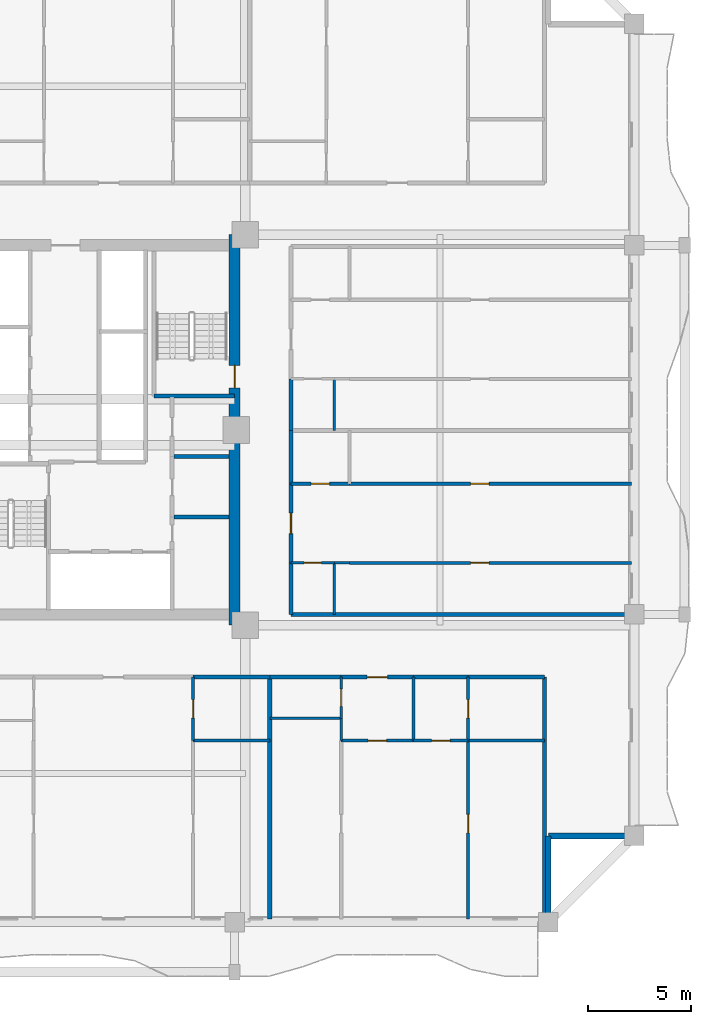
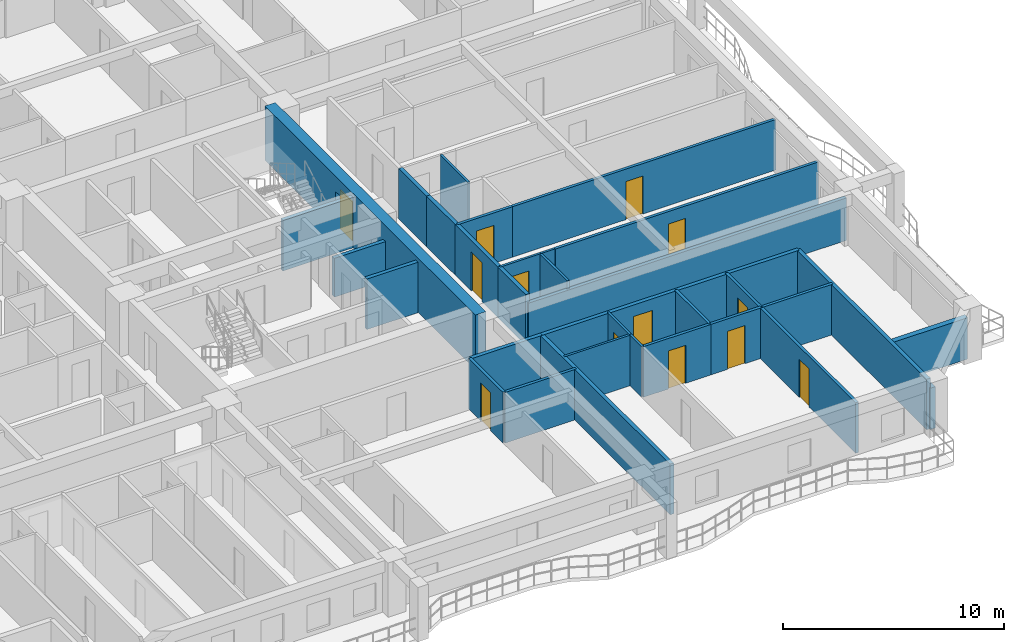
# One storey, part 5 of 15: 36 walls, 13 doors, 13 openings.
"""IFC4 building model written with IfcOpenShell, lengths in metres."""

from ifc_helpers import new_model, si_unit, direction, frame, frame_2d, origin, place, context, subcontext, project, spatial, rectangle, extrude, source, transform, mapped, material, layer, layer_set, type_object, element, fill, save


model = new_model("IFC4")

# Units and contexts
model_context = context("Model", 3, precision=1e-05, world=origin(), true_north=direction((0.0, 1.0)))
body_context = subcontext(model_context, "Body", "Model", "MODEL_VIEW")
ifc_project = project(units=[si_unit("LENGTHUNIT", "METRE"), si_unit("AREAUNIT", "SQUARE_METRE"), si_unit("VOLUMEUNIT", "CUBIC_METRE"), si_unit("PLANEANGLEUNIT", "RADIAN"), si_unit("MASSUNIT", "GRAM", prefix="KILO")], contexts=[model_context])

# Site, building, storey
site_placement = place(None, origin())
site = spatial("IfcSite", under=ifc_project, at=site_placement, CompositionType="ELEMENT")
building_placement = place(site_placement, origin())
building = spatial("IfcBuilding", under=site, at=building_placement, Name="Saelheon Loggia Tower", CompositionType="ELEMENT")
storey_placement = place(building_placement, frame((0.0, 0.0, 77.85009765625)))
storey = spatial("IfcBuildingStorey", under=building, at=storey_placement, Name="L24", CompositionType="ELEMENT", Elevation=77.85009765625)

# Wall, opening, door
ifc_material_1 = material(Name="Concrete C50/60", Category="concrete")
ifc_layer_1 = layer(ifc_material_1, 0.550048828125)
ifc_layer_set_1 = layer_set([ifc_layer_1], Name="Concrete C50/60")
wall_type_1 = type_object("IfcWallType", Name="Wall_CoreShear_550", PredefinedType="SHEAR", material=ifc_layer_set_1)
wall_1_placement = place(storey_placement, frame((44.5, 17.47998046875, 0.0), z_axis=(0.0, 0.0, 1.0), x_axis=(0.0, 1.0, 0.0)))
wall_1 = element("IfcWall", 1, at=wall_1_placement, inside=storey, type_object=wall_type_1, Name="L24 Core Shear Wall East", PredefinedType="SHEAR", context=body_context, shape_type="SweptSolid", body=[
    extrude(rectangle(XDim=19.0400390625, YDim=0.550048828125, at=frame_2d((9.52001953125, 0.0))), origin(), (0.0, 0.0, 1.0), 3.0),
])
opening_1_placement = place(wall_1_placement, frame((12.670166015625, 0.0, 0.0), z_axis=(0.0, 0.0, 1.0), x_axis=(-1.0, 0.0, 0.0)))
opening_1 = element("IfcOpeningElement", 2, at=opening_1_placement, cuts=wall_1, Name="Opening D-FD2", PredefinedType="OPENING", context=body_context, shape_type="SweptSolid", body=[
    extrude(rectangle(XDim=1.10009765625, YDim=2.14990234375, at=frame_2d((0.550048828125, 1.074951171875))), frame((0.0, 0.287109375, 0.0), z_axis=(0.0, -1.0, 0.0), x_axis=(1.0, 0.0, 0.0)), (0.0, 0.0, 1.0), 0.573974609375),
])
ifc_material_2 = material(Name="Galvanised Steel Fire Door", Category="steel")
door_type_1 = type_object("IfcDoorType", Name="Door_Fire_FD60_1100", OperationType="NOTDEFINED", PredefinedType="DOOR", material=ifc_material_2)
shared_shape_1 = source(origin(), body_context, "Body", "SweptSolid", [
    extrude(rectangle(XDim=1.10009765625, YDim=2.14990234375, at=frame_2d((0.550048828125, 1.074951171875))), frame((0.0, 0.02490234375, 0.0), z_axis=(0.0, -1.0, 0.0), x_axis=(1.0, 0.0, 0.0)), (0.0, 0.0, 1.0), 0.050048828125),
])
door_1_placement = place(opening_1_placement, origin())
door_1 = element("IfcDoor", 3, at=door_1_placement, inside=storey, type_object=door_type_1, Name="L24 Stair ST2 Corridor Door", OperationType="SINGLE_SWING_RIGHT", OverallHeight=2.14990234375, OverallWidth=1.10009765625, PredefinedType="DOOR", context=body_context, shape_type="MappedRepresentation", body=[
    mapped(shared_shape_1, transform((0.0, 0.0, 0.0), scale=1.0)),
])
fill(opening_1, door_1)

# Walls
ifc_material_3 = material(Name="Architectural Precast Concrete C40/50", Category="concrete")
ifc_layer_2 = layer(ifc_material_3, 0.280029296875)
ifc_layer_set_2 = layer_set([ifc_layer_2], Name="Architectural Precast Concrete C40/50")
wall_type_2 = type_object("IfcWallType", Name="Wall_Ext_Loggia_280", PredefinedType="SOLIDWALL", material=ifc_layer_set_2)
for number, where, z_axis, x_axis, name in (
    (4, (59.800048828125, 3.080078125, 0.0), (0.0, 0.0, 1.0), (0.0, 1.0, 0.0), "L24 Corner Notch Precast Wall SE1"),
    (5, (59.800048828125, 7.199951171875, 0.0), (0.0, 0.0, 1.0), (1.0, 0.0, 0.0), "L24 Corner Notch Precast Wall SE2"),
):
    element("IfcWall", number, at=place(storey_placement, frame(where, z_axis=z_axis, x_axis=x_axis)), inside=storey, type_object=wall_type_2, Name=name, PredefinedType="SOLIDWALL", context=body_context, shape_type="SweptSolid", body=[
        extrude(rectangle(XDim=4.119873046875, YDim=0.280029296875, at=frame_2d((2.06005859375, 0.0))), origin(), (0.0, 0.0, 1.0), 2.27978515625),
    ])
ifc_material_4 = material(Name="Lightweight Autoclaved Aerated Concrete Block and Acoustic Gypsum", Category="concrete")
ifc_layer_3 = layer(ifc_material_4, 0.14990234375)
ifc_layer_set_3 = layer_set([ifc_layer_3], Name="Lightweight Autoclaved Aerated Concrete Block and Acoustic Gypsum")
wall_type_3 = type_object("IfcWallType", Name="Wall_Part_150", PredefinedType="PARTITIONING", material=ifc_layer_set_3)
wall_2_placement = place(storey_placement, frame((42.47998046875, 11.85009765625, 0.0), z_axis=(0.0, 0.0, 1.0), x_axis=(1.0, 0.0, 0.0)))
element("IfcWall", 6, at=wall_2_placement, inside=storey, type_object=wall_type_3, Name="L24 S Partition V29", PredefinedType="PARTITIONING", context=body_context, shape_type="SweptSolid", body=[
    extrude(rectangle(XDim=3.735595703125, YDim=0.14990234375, at=frame_2d((1.86767578125, 0.0))), origin(), (0.0, 0.0, 1.0), 2.789794921875),
])

# Wall, opening, door
wall_3_placement = place(storey_placement, frame((42.47998046875, 14.949951171875, 0.0), z_axis=(0.0, 0.0, 1.0), x_axis=(0.0, -1.0, 0.0)))
wall_3 = element("IfcWall", 7, at=wall_3_placement, inside=storey, type_object=wall_type_3, Name="L24 S Partition U33", PredefinedType="PARTITIONING", context=body_context, shape_type="SweptSolid", body=[
    extrude(rectangle(XDim=3.099853515625, YDim=0.14990234375, at=frame_2d((1.5498046875, 0.0))), origin(), (0.0, 0.0, 1.0), 2.789794921875),
])
opening_2_placement = place(wall_3_placement, frame((1.10009765625, 0.0, 0.0)))
opening_2 = element("IfcOpeningElement", 8, at=opening_2_placement, cuts=wall_3, Name="Opening D-IN2", PredefinedType="OPENING", context=body_context, shape_type="SweptSolid", body=[
    extrude(rectangle(XDim=0.89990234375, YDim=2.10009765625, at=frame_2d((0.449951171875, 1.050048828125))), frame((0.0, 0.0869140625, 0.0), z_axis=(0.0, -1.0, 0.0), x_axis=(1.0, 0.0, 0.0)), (0.0, 0.0, 1.0), 0.173828125),
])
ifc_material_5 = material(Name="Engineered Oak Flush Door", Category="timber")
door_type_2 = type_object("IfcDoorType", Name="Door_Int_900", OperationType="NOTDEFINED", PredefinedType="DOOR", material=ifc_material_5)
shared_shape_2 = source(origin(), body_context, "Body", "SweptSolid", [
    extrude(rectangle(XDim=0.89990234375, YDim=2.10009765625, at=frame_2d((0.449951171875, 1.050048828125))), frame((0.0, 0.02490234375, 0.0), z_axis=(0.0, -1.0, 0.0), x_axis=(1.0, 0.0, 0.0)), (0.0, 0.0, 1.0), 0.050048828125),
])
door_2_placement = place(opening_2_placement, origin())
door_2 = element("IfcDoor", 9, at=door_2_placement, inside=storey, type_object=door_type_2, Name="Unit U03 Private Study Door", OperationType="SINGLE_SWING_LEFT", OverallHeight=2.10009765625, OverallWidth=0.89990234375, PredefinedType="DOOR", context=body_context, shape_type="MappedRepresentation", body=[
    mapped(shared_shape_2, transform((0.0, 0.0, 0.0), scale=1.0)),
])
fill(opening_2, door_2)

# Wall
wall_4_placement = place(storey_placement, frame((53.234375, 14.949951171875, 0.0), z_axis=(0.0, 0.0, 1.0), x_axis=(0.0, -1.0, 0.0)))
element("IfcWall", 10, at=wall_4_placement, inside=storey, type_object=wall_type_3, Name="L24 S Partition U39", PredefinedType="PARTITIONING", context=body_context, shape_type="SweptSolid", body=[
    extrude(rectangle(XDim=3.099853515625, YDim=0.14990234375, at=frame_2d((1.5498046875, 0.0))), origin(), (0.0, 0.0, 1.0), 2.789794921875),
])

# Wall, opening, door
wall_5_placement = place(storey_placement, frame((49.70068359375, 11.85009765625, 0.0), z_axis=(0.0, 0.0, 1.0), x_axis=(1.0, 0.0, 0.0)))
wall_5 = element("IfcWall", 11, at=wall_5_placement, inside=storey, type_object=wall_type_3, Name="L24 S Partition V40", PredefinedType="PARTITIONING", context=body_context, shape_type="SweptSolid", body=[
    extrude(rectangle(XDim=3.53369140625, YDim=0.14990234375, at=frame_2d((1.766845703125, 0.0))), origin(), (0.0, 0.0, 1.0), 2.789794921875),
])
opening_3_placement = place(wall_5_placement, frame((1.31689453125, 0.0, 0.0)))
opening_3 = element("IfcOpeningElement", 12, at=opening_3_placement, cuts=wall_5, Name="Opening D-IN2", PredefinedType="OPENING", context=body_context, shape_type="SweptSolid", body=[
    extrude(rectangle(XDim=0.89990234375, YDim=2.10009765625, at=frame_2d((0.449951171875, 1.050048828125))), frame((0.0, 0.0869140625, 0.0), z_axis=(0.0, -1.0, 0.0), x_axis=(1.0, 0.0, 0.0)), (0.0, 0.0, 1.0), 0.173828125),
])
door_3_placement = place(opening_3_placement, origin())
door_3 = element("IfcDoor", 13, at=door_3_placement, inside=storey, type_object=door_type_2, Name="Unit U04 Living Door", OperationType="SINGLE_SWING_RIGHT", OverallHeight=2.10009765625, OverallWidth=0.89990234375, PredefinedType="DOOR", context=body_context, shape_type="MappedRepresentation", body=[
    mapped(shared_shape_2, transform((0.0, 0.0, 0.0), scale=1.0)),
])
fill(opening_3, door_3)

wall_6_placement = place(storey_placement, frame((53.234375, 11.85009765625, 0.0), z_axis=(0.0, 0.0, 1.0), x_axis=(1.0, 0.0, 0.0)))
wall_6 = element("IfcWall", 14, at=wall_6_placement, inside=storey, type_object=wall_type_3, Name="L24 S Partition V41", PredefinedType="PARTITIONING", context=body_context, shape_type="SweptSolid", body=[
    extrude(rectangle(XDim=2.650146484375, YDim=0.14990234375, at=frame_2d((1.3251953125, 0.0))), origin(), (0.0, 0.0, 1.0), 2.789794921875),
])
opening_4_placement = place(wall_6_placement, frame((0.875, 0.0, 0.0)))
opening_4 = element("IfcOpeningElement", 15, at=opening_4_placement, cuts=wall_6, Name="Opening D-IN2", PredefinedType="OPENING", context=body_context, shape_type="SweptSolid", body=[
    extrude(rectangle(XDim=0.89990234375, YDim=2.10009765625, at=frame_2d((0.449951171875, 1.050048828125))), frame((0.0, 0.0869140625, 0.0), z_axis=(0.0, -1.0, 0.0), x_axis=(1.0, 0.0, 0.0)), (0.0, 0.0, 1.0), 0.173828125),
])
door_4_placement = place(opening_4_placement, origin())
door_4 = element("IfcDoor", 16, at=door_4_placement, inside=storey, type_object=door_type_2, Name="Unit U04 Private Study Door", OperationType="SINGLE_SWING_LEFT", OverallHeight=2.10009765625, OverallWidth=0.89990234375, PredefinedType="DOOR", context=body_context, shape_type="MappedRepresentation", body=[
    mapped(shared_shape_2, transform((0.0, 0.0, 0.0), scale=1.0)),
])
fill(opening_4, door_4)

# Wall
wall_7_placement = place(storey_placement, frame((55.884521484375, 11.85009765625, 0.0), z_axis=(0.0, 0.0, 1.0), x_axis=(1.0, 0.0, 0.0)))
element("IfcWall", 17, at=wall_7_placement, inside=storey, type_object=wall_type_3, Name="L24 S Partition V44", PredefinedType="PARTITIONING", context=body_context, shape_type="SweptSolid", body=[
    extrude(rectangle(XDim=3.735595703125, YDim=0.14990234375, at=frame_2d((1.86767578125, 0.0))), origin(), (0.0, 0.0, 1.0), 2.789794921875),
])

# Wall, opening, door
wall_8_placement = place(storey_placement, frame((55.884521484375, 14.949951171875, 0.0), z_axis=(0.0, 0.0, 1.0), x_axis=(0.0, -1.0, 0.0)))
wall_8 = element("IfcWall", 18, at=wall_8_placement, inside=storey, type_object=wall_type_3, Name="L24 S Partition U48", PredefinedType="PARTITIONING", context=body_context, shape_type="SweptSolid", body=[
    extrude(rectangle(XDim=3.099853515625, YDim=0.14990234375, at=frame_2d((1.5498046875, 0.0))), origin(), (0.0, 0.0, 1.0), 2.789794921875),
])
opening_5_placement = place(wall_8_placement, frame((1.10009765625, 0.0, 0.0)))
opening_5 = element("IfcOpeningElement", 19, at=opening_5_placement, cuts=wall_8, Name="Opening D-IN2", PredefinedType="OPENING", context=body_context, shape_type="SweptSolid", body=[
    extrude(rectangle(XDim=0.89990234375, YDim=2.10009765625, at=frame_2d((0.449951171875, 1.050048828125))), frame((0.0, 0.0869140625, 0.0), z_axis=(0.0, -1.0, 0.0), x_axis=(1.0, 0.0, 0.0)), (0.0, 0.0, 1.0), 0.173828125),
])
door_5_placement = place(opening_5_placement, origin())
door_5 = element("IfcDoor", 20, at=door_5_placement, inside=storey, type_object=door_type_2, Name="Unit U04 Kitchen Door", OperationType="SINGLE_SWING_RIGHT", OverallHeight=2.10009765625, OverallWidth=0.89990234375, PredefinedType="DOOR", context=body_context, shape_type="MappedRepresentation", body=[
    mapped(shared_shape_2, transform((0.0, 0.0, 0.0), scale=1.0)),
])
fill(opening_5, door_5)

wall_9_placement = place(storey_placement, frame((55.884521484375, 11.85009765625, 0.0), z_axis=(0.0, 0.0, 1.0), x_axis=(0.0, -1.0, 0.0)))
wall_9 = element("IfcWall", 21, at=wall_9_placement, inside=storey, type_object=wall_type_3, Name="L24 S Partition U49", PredefinedType="PARTITIONING", context=body_context, shape_type="SweptSolid", body=[
    extrude(rectangle(XDim=8.7001953125, YDim=0.14990234375, at=frame_2d((4.35009765625, 0.0))), origin(), (0.0, 0.0, 1.0), 2.789794921875),
])
opening_6_placement = place(wall_9_placement, frame((3.594970703125, 0.0, 0.0)))
opening_6 = element("IfcOpeningElement", 22, at=opening_6_placement, cuts=wall_9, Name="Opening D-IN2", PredefinedType="OPENING", context=body_context, shape_type="SweptSolid", body=[
    extrude(rectangle(XDim=0.89990234375, YDim=2.10009765625, at=frame_2d((0.449951171875, 1.050048828125))), frame((0.0, 0.0869140625, 0.0), z_axis=(0.0, -1.0, 0.0), x_axis=(1.0, 0.0, 0.0)), (0.0, 0.0, 1.0), 0.173828125),
])
door_6_placement = place(opening_6_placement, origin())
door_6 = element("IfcDoor", 23, at=door_6_placement, inside=storey, type_object=door_type_2, Name="Unit U04 Bedroom 1 Door", OperationType="SINGLE_SWING_LEFT", OverallHeight=2.10009765625, OverallWidth=0.89990234375, PredefinedType="DOOR", context=body_context, shape_type="MappedRepresentation", body=[
    mapped(shared_shape_2, transform((0.0, 0.0, 0.0), scale=1.0)),
])
fill(opening_6, door_6)

wall_10_placement = place(storey_placement, frame((50.110107421875, 20.512939453125, 0.0), z_axis=(0.0, 0.0, 1.0), x_axis=(1.0, 0.0, 0.0)))
wall_10 = element("IfcWall", 24, at=wall_10_placement, inside=storey, type_object=wall_type_3, Name="L24 E Partition U10", PredefinedType="PARTITIONING", context=body_context, shape_type="SweptSolid", body=[
    extrude(rectangle(XDim=13.739990234375, YDim=0.14990234375, at=frame_2d((6.8701171875, 0.0))), origin(), (0.0, 0.0, 1.0), 2.789794921875),
])
opening_7_placement = place(wall_10_placement, frame((5.905029296875, 0.0, 0.0)))
opening_7 = element("IfcOpeningElement", 25, at=opening_7_placement, cuts=wall_10, Name="Opening D-IN2", PredefinedType="OPENING", context=body_context, shape_type="SweptSolid", body=[
    extrude(rectangle(XDim=0.89990234375, YDim=2.10009765625, at=frame_2d((0.449951171875, 1.050048828125))), frame((0.0, 0.0869140625, 0.0), z_axis=(0.0, -1.0, 0.0), x_axis=(1.0, 0.0, 0.0)), (0.0, 0.0, 1.0), 0.173828125),
])
door_7_placement = place(opening_7_placement, origin())
door_7 = element("IfcDoor", 26, at=door_7_placement, inside=storey, type_object=door_type_2, Name="Unit U10 Kitchen Door", OperationType="SINGLE_SWING_RIGHT", OverallHeight=2.10009765625, OverallWidth=0.89990234375, PredefinedType="DOOR", context=body_context, shape_type="MappedRepresentation", body=[
    mapped(shared_shape_2, transform((0.0, 0.0, 0.0), scale=1.0)),
])
fill(opening_7, door_7)

wall_11_placement = place(storey_placement, frame((47.25, 24.375, 0.0), z_axis=(0.0, 0.0, 1.0), x_axis=(1.0, 0.0, 0.0)))
wall_11 = element("IfcWall", 27, at=wall_11_placement, inside=storey, type_object=wall_type_3, Name="L24 E Partition U11", PredefinedType="PARTITIONING", context=body_context, shape_type="SweptSolid", body=[
    extrude(rectangle(XDim=2.860107421875, YDim=0.14990234375, at=frame_2d((1.43017578125, 0.0))), origin(), (0.0, 0.0, 1.0), 2.789794921875),
])
opening_8_placement = place(wall_11_placement, frame((0.97998046875, 0.0, 0.0)))
opening_8 = element("IfcOpeningElement", 28, at=opening_8_placement, cuts=wall_11, Name="Opening D-IN2", PredefinedType="OPENING", context=body_context, shape_type="SweptSolid", body=[
    extrude(rectangle(XDim=0.89990234375, YDim=2.10009765625, at=frame_2d((0.449951171875, 1.050048828125))), frame((0.0, 0.0869140625, 0.0), z_axis=(0.0, -1.0, 0.0), x_axis=(1.0, 0.0, 0.0)), (0.0, 0.0, 1.0), 0.173828125),
])
door_8_placement = place(opening_8_placement, origin())
door_8 = element("IfcDoor", 29, at=door_8_placement, inside=storey, type_object=door_type_2, Name="Unit U10 Dressing Closet Door", OperationType="SINGLE_SWING_LEFT", OverallHeight=2.10009765625, OverallWidth=0.89990234375, PredefinedType="DOOR", context=body_context, shape_type="MappedRepresentation", body=[
    mapped(shared_shape_2, transform((0.0, 0.0, 0.0), scale=1.0)),
])
fill(opening_8, door_8)

wall_12_placement = place(storey_placement, frame((50.110107421875, 24.375, 0.0), z_axis=(0.0, 0.0, 1.0), x_axis=(1.0, 0.0, 0.0)))
wall_12 = element("IfcWall", 30, at=wall_12_placement, inside=storey, type_object=wall_type_3, Name="L24 E Partition U12", PredefinedType="PARTITIONING", context=body_context, shape_type="SweptSolid", body=[
    extrude(rectangle(XDim=13.739990234375, YDim=0.14990234375, at=frame_2d((6.8701171875, 0.0))), origin(), (0.0, 0.0, 1.0), 2.789794921875),
])
opening_9_placement = place(wall_12_placement, frame((5.905029296875, 0.0, 0.0)))
opening_9 = element("IfcOpeningElement", 31, at=opening_9_placement, cuts=wall_12, Name="Opening D-IN2", PredefinedType="OPENING", context=body_context, shape_type="SweptSolid", body=[
    extrude(rectangle(XDim=0.89990234375, YDim=2.10009765625, at=frame_2d((0.449951171875, 1.050048828125))), frame((0.0, 0.0869140625, 0.0), z_axis=(0.0, -1.0, 0.0), x_axis=(1.0, 0.0, 0.0)), (0.0, 0.0, 1.0), 0.173828125),
])
door_9_placement = place(opening_9_placement, origin())
door_9 = element("IfcDoor", 32, at=door_9_placement, inside=storey, type_object=door_type_2, Name="Unit U10 Bedroom 1 Door", OperationType="SINGLE_SWING_RIGHT", OverallHeight=2.10009765625, OverallWidth=0.89990234375, PredefinedType="DOOR", context=body_context, shape_type="MappedRepresentation", body=[
    mapped(shared_shape_2, transform((0.0, 0.0, 0.0), scale=1.0)),
])
fill(opening_9, door_9)

# Walls
ifc_material_6 = material(Name="Double Acoustic Stud and Fireboard Partition", Category="gypsum")
ifc_layer_4 = layer(ifc_material_6, 0.199951171875)
ifc_layer_set_4 = layer_set([ifc_layer_4], Name="Double Acoustic Stud and Fireboard Partition")
wall_type_4 = type_object("IfcWallType", Name="Wall_Party_200", PredefinedType="PARTITIONING", material=ifc_layer_set_4)
wall_13_placement = place(storey_placement, frame((59.6201171875, 14.949951171875, 0.0), z_axis=(0.0, 0.0, 1.0), x_axis=(0.0, -1.0, 0.0)))
element("IfcWall", 33, at=wall_13_placement, inside=storey, type_object=wall_type_4, Name="L24 S Partition U02", PredefinedType="PARTITIONING", context=body_context, shape_type="SweptSolid", body=[
    extrude(rectangle(XDim=11.800048828125, YDim=0.199951171875, at=frame_2d((5.89990234375, 0.0))), origin(), (0.0, 0.0, 1.0), 2.789794921875),
])
wall_14_placement = place(storey_placement, frame((42.47998046875, 14.949951171875, 0.0), z_axis=(0.0, 0.0, 1.0), x_axis=(1.0, 0.0, 0.0)))
element("IfcWall", 34, at=wall_14_placement, inside=storey, type_object=wall_type_4, Name="L24 S Partition V27", PredefinedType="PARTITIONING", context=body_context, shape_type="SweptSolid", body=[
    extrude(rectangle(XDim=3.735595703125, YDim=0.199951171875, at=frame_2d((1.86767578125, 0.0))), origin(), (0.0, 0.0, 1.0), 2.789794921875),
])
wall_15_placement = place(storey_placement, frame((46.215576171875, 14.949951171875, 0.0), z_axis=(0.0, 0.0, 1.0), x_axis=(0.0, -1.0, 0.0)))
element("IfcWall", 35, at=wall_15_placement, inside=storey, type_object=wall_type_4, Name="L24 S Partition U35", PredefinedType="PARTITIONING", context=body_context, shape_type="SweptSolid", body=[
    extrude(rectangle(XDim=11.800048828125, YDim=0.199951171875, at=frame_2d((5.89990234375, 0.0))), origin(), (0.0, 0.0, 1.0), 2.789794921875),
])
wall_16_placement = place(storey_placement, frame((46.215576171875, 14.949951171875, 0.0), z_axis=(0.0, 0.0, 1.0), x_axis=(1.0, 0.0, 0.0)))
element("IfcWall", 36, at=wall_16_placement, inside=storey, type_object=wall_type_4, Name="L24 S Partition V36", PredefinedType="PARTITIONING", context=body_context, shape_type="SweptSolid", body=[
    extrude(rectangle(XDim=3.485107421875, YDim=0.199951171875, at=frame_2d((1.74267578125, 0.0))), origin(), (0.0, 0.0, 1.0), 2.789794921875),
])

# Wall, opening, door
wall_17_placement = place(storey_placement, frame((49.70068359375, 14.949951171875, 0.0), z_axis=(0.0, 0.0, 1.0), x_axis=(1.0, 0.0, 0.0)))
wall_17 = element("IfcWall", 37, at=wall_17_placement, inside=storey, type_object=wall_type_4, Name="L24 S Partition V37", PredefinedType="PARTITIONING", context=body_context, shape_type="SweptSolid", body=[
    extrude(rectangle(XDim=3.53369140625, YDim=0.199951171875, at=frame_2d((1.766845703125, 0.0))), origin(), (0.0, 0.0, 1.0), 2.789794921875),
])
opening_10_placement = place(wall_17_placement, frame((1.266845703125, 0.0, 0.0)))
opening_10 = element("IfcOpeningElement", 38, at=opening_10_placement, cuts=wall_17, Name="Opening D-FD1", PredefinedType="OPENING", context=body_context, shape_type="SweptSolid", body=[
    extrude(rectangle(XDim=1.0, YDim=2.14990234375, at=frame_2d((0.5, 1.074951171875))), frame((0.0, 0.112060546875, 0.0), z_axis=(0.0, -1.0, 0.0), x_axis=(1.0, 0.0, 0.0)), (0.0, 0.0, 1.0), 0.223876953125),
])
ifc_material_7 = material(Name="Fire-Rated Engineered Timber Entrance Door", Category="wood")
door_type_3 = type_object("IfcDoorType", Name="Door_Flat_FD30S", OperationType="NOTDEFINED", PredefinedType="DOOR", material=ifc_material_7)
shared_shape_3 = source(origin(), body_context, "Body", "SweptSolid", [
    extrude(rectangle(XDim=1.0, YDim=2.14990234375, at=frame_2d((0.5, 1.074951171875))), frame((0.0, 0.02490234375, 0.0), z_axis=(0.0, -1.0, 0.0), x_axis=(1.0, 0.0, 0.0)), (0.0, 0.0, 1.0), 0.050048828125),
])
door_10_placement = place(opening_10_placement, origin())
door_10 = element("IfcDoor", 39, at=door_10_placement, inside=storey, type_object=door_type_3, Name="Unit U04 Entrance Door", OperationType="SINGLE_SWING_LEFT", OverallHeight=2.14990234375, OverallWidth=1.0, PredefinedType="DOOR", context=body_context, shape_type="MappedRepresentation", body=[
    mapped(shared_shape_3, transform((0.0, 0.0, 0.0), scale=1.0)),
])
fill(opening_10, door_10)

# Walls
wall_18_placement = place(storey_placement, frame((53.234375, 14.949951171875, 0.0), z_axis=(0.0, 0.0, 1.0), x_axis=(1.0, 0.0, 0.0)))
element("IfcWall", 40, at=wall_18_placement, inside=storey, type_object=wall_type_4, Name="L24 S Partition V38", PredefinedType="PARTITIONING", context=body_context, shape_type="SweptSolid", body=[
    extrude(rectangle(XDim=2.650146484375, YDim=0.199951171875, at=frame_2d((1.3251953125, 0.0))), origin(), (0.0, 0.0, 1.0), 2.789794921875),
])
wall_19_placement = place(storey_placement, frame((55.884521484375, 14.949951171875, 0.0), z_axis=(0.0, 0.0, 1.0), x_axis=(1.0, 0.0, 0.0)))
element("IfcWall", 41, at=wall_19_placement, inside=storey, type_object=wall_type_4, Name="L24 S Partition V42", PredefinedType="PARTITIONING", context=body_context, shape_type="SweptSolid", body=[
    extrude(rectangle(XDim=3.735595703125, YDim=0.199951171875, at=frame_2d((1.86767578125, 0.0))), origin(), (0.0, 0.0, 1.0), 2.789794921875),
])
wall_20_placement = place(storey_placement, frame((47.25, 18.0, 0.0), z_axis=(0.0, 0.0, 1.0), x_axis=(1.0, 0.0, 0.0)))
element("IfcWall", 42, at=wall_20_placement, inside=storey, type_object=wall_type_4, Name="L24 E Partition U01", PredefinedType="PARTITIONING", context=body_context, shape_type="SweptSolid", body=[
    extrude(rectangle(XDim=16.60009765625, YDim=0.199951171875, at=frame_2d((8.300048828125, 0.0))), origin(), (0.0, 0.0, 1.0), 2.33984375),
])
wall_21_placement = place(storey_placement, frame((47.25, 18.0, 0.0), z_axis=(0.0, 0.0, 1.0), x_axis=(0.0, 1.0, 0.0)))
element("IfcWall", 43, at=wall_21_placement, inside=storey, type_object=wall_type_4, Name="L24 E Partition V03", PredefinedType="PARTITIONING", context=body_context, shape_type="SweptSolid", body=[
    extrude(rectangle(XDim=2.512939453125, YDim=0.199951171875, at=frame_2d((1.25634765625, 0.0))), origin(), (0.0, 0.0, 1.0), 2.789794921875),
])

# Wall, opening, door
wall_22_placement = place(storey_placement, frame((47.25, 20.512939453125, 0.0), z_axis=(0.0, 0.0, 1.0), x_axis=(0.0, 1.0, 0.0)))
wall_22 = element("IfcWall", 44, at=wall_22_placement, inside=storey, type_object=wall_type_4, Name="L24 E Partition V04", PredefinedType="PARTITIONING", context=body_context, shape_type="SweptSolid", body=[
    extrude(rectangle(XDim=3.862060546875, YDim=0.199951171875, at=frame_2d((1.93115234375, 0.0))), origin(), (0.0, 0.0, 1.0), 2.789794921875),
])
opening_11_placement = place(wall_22_placement, frame((1.430908203125, 0.0, 0.0)))
opening_11 = element("IfcOpeningElement", 45, at=opening_11_placement, cuts=wall_22, Name="Opening D-FD1", PredefinedType="OPENING", context=body_context, shape_type="SweptSolid", body=[
    extrude(rectangle(XDim=1.0, YDim=2.14990234375, at=frame_2d((0.5, 1.074951171875))), frame((0.0, 0.112060546875, 0.0), z_axis=(0.0, -1.0, 0.0), x_axis=(1.0, 0.0, 0.0)), (0.0, 0.0, 1.0), 0.223876953125),
])
door_11_placement = place(opening_11_placement, origin())
door_11 = element("IfcDoor", 46, at=door_11_placement, inside=storey, type_object=door_type_3, Name="Unit U10 Entrance Door", OperationType="SINGLE_SWING_RIGHT", OverallHeight=2.14990234375, OverallWidth=1.0, PredefinedType="DOOR", context=body_context, shape_type="MappedRepresentation", body=[
    mapped(shared_shape_3, transform((0.0, 0.0, 0.0), scale=1.0)),
])
fill(opening_11, door_11)

# Walls
wall_23_placement = place(storey_placement, frame((47.25, 24.375, 0.0), z_axis=(0.0, 0.0, 1.0), x_axis=(0.0, 1.0, 0.0)))
element("IfcWall", 47, at=wall_23_placement, inside=storey, type_object=wall_type_4, Name="L24 E Partition V05", PredefinedType="PARTITIONING", context=body_context, shape_type="SweptSolid", body=[
    extrude(rectangle(XDim=2.60009765625, YDim=0.199951171875, at=frame_2d((1.300048828125, 0.0))), origin(), (0.0, 0.0, 1.0), 2.789794921875),
])
wall_24_placement = place(storey_placement, frame((47.25, 26.97509765625, 0.0), z_axis=(0.0, 0.0, 1.0), x_axis=(0.0, 1.0, 0.0)))
element("IfcWall", 48, at=wall_24_placement, inside=storey, type_object=wall_type_4, Name="L24 E Partition V14", PredefinedType="PARTITIONING", context=body_context, shape_type="SweptSolid", body=[
    extrude(rectangle(XDim=2.512939453125, YDim=0.199951171875, at=frame_2d((1.25634765625, 0.0))), origin(), (0.0, 0.0, 1.0), 2.789794921875),
])
ifc_material_8 = material(Name="Concrete C40/50", Category="concrete")
ifc_layer_5 = layer(ifc_material_8, 0.199951171875)
ifc_layer_set_5 = layer_set([ifc_layer_5], Name="Concrete C40/50")
wall_type_5 = type_object("IfcWallType", Name="Wall_Shaft_200", PredefinedType="PARTITIONING", material=ifc_layer_set_5)
wall_25_placement = place(storey_placement, frame((41.550048828125, 22.75, 0.0), z_axis=(0.0, 0.0, 1.0), x_axis=(1.0, 0.0, 0.0)))
element("IfcWall", 49, at=wall_25_placement, inside=storey, type_object=wall_type_5, Name="CW-BOH-L24-H1", PredefinedType="PARTITIONING", context=body_context, shape_type="SweptSolid", body=[
    extrude(rectangle(XDim=2.669921875, YDim=0.199951171875, at=frame_2d((1.3349609375, 0.0))), origin(), (0.0, 0.0, 1.0), 2.789794921875),
])
wall_26_placement = place(storey_placement, frame((41.550048828125, 25.699951171875, 0.0), z_axis=(0.0, 0.0, 1.0), x_axis=(1.0, 0.0, 0.0)))
element("IfcWall", 50, at=wall_26_placement, inside=storey, type_object=wall_type_5, Name="CW-BOH-L24-H2", PredefinedType="PARTITIONING", context=body_context, shape_type="SweptSolid", body=[
    extrude(rectangle(XDim=2.669921875, YDim=0.199951171875, at=frame_2d((1.3349609375, 0.0))), origin(), (0.0, 0.0, 1.0), 2.139892578125),
])
ifc_material_9 = material(Name="Concrete C45/55", Category="concrete")
ifc_layer_6 = layer(ifc_material_9, 0.199951171875)
ifc_layer_set_6 = layer_set([ifc_layer_6], Name="Concrete C45/55")
wall_type_6 = type_object("IfcWallType", Name="Wall_StairShaft_RC200", PredefinedType="SOLIDWALL", material=ifc_layer_set_6)
wall_27_placement = place(storey_placement, frame((40.570068359375, 28.64990234375, 0.0), z_axis=(0.0, 0.0, 1.0), x_axis=(1.0, 0.0, 0.0)))
element("IfcWall", 51, at=wall_27_placement, inside=storey, type_object=wall_type_6, Name="L24 Stair ST2 South Wall", PredefinedType="SOLIDWALL", context=body_context, shape_type="SweptSolid", body=[
    extrude(rectangle(XDim=3.929931640625, YDim=0.199951171875, at=frame_2d((1.96484375, 0.0))), origin(), (0.0, 0.0, 1.0), 2.789794921875),
])
ifc_material_10 = material(Name="Moisture-Resistant Cement Board Partition", Category="gypsum")
ifc_layer_7 = layer(ifc_material_10, 0.1201171875)
ifc_layer_set_7 = layer_set([ifc_layer_7], Name="Moisture-Resistant Cement Board Partition")
wall_type_7 = type_object("IfcWallType", Name="Wall_WetPart_120", PredefinedType="PARTITIONING", material=ifc_layer_set_7)
wall_28_placement = place(storey_placement, frame((46.215576171875, 12.929931640625, 0.0), z_axis=(0.0, 0.0, 1.0), x_axis=(1.0, 0.0, 0.0)))
element("IfcWall", 52, at=wall_28_placement, inside=storey, type_object=wall_type_7, Name="L24 S Partition V43", PredefinedType="PARTITIONING", context=body_context, shape_type="SweptSolid", body=[
    extrude(rectangle(XDim=3.485107421875, YDim=0.1201171875, at=frame_2d((1.74267578125, 0.0))), origin(), (0.0, 0.0, 1.0), 2.789794921875),
])

# Wall, opening, door
wall_29_placement = place(storey_placement, frame((49.70068359375, 14.949951171875, 0.0), z_axis=(0.0, 0.0, 1.0), x_axis=(0.0, -1.0, 0.0)))
wall_29 = element("IfcWall", 53, at=wall_29_placement, inside=storey, type_object=wall_type_7, Name="L24 S Partition U45", PredefinedType="PARTITIONING", context=body_context, shape_type="SweptSolid", body=[
    extrude(rectangle(XDim=2.02001953125, YDim=0.1201171875, at=frame_2d((1.010009765625, 0.0))), origin(), (0.0, 0.0, 1.0), 2.789794921875),
])
opening_12_placement = place(wall_29_placement, frame((0.5849609375, 0.0, 0.0)))
opening_12 = element("IfcOpeningElement", 54, at=opening_12_placement, cuts=wall_29, Name="Opening D-BT1", PredefinedType="OPENING", context=body_context, shape_type="SweptSolid", body=[
    extrude(rectangle(XDim=0.85009765625, YDim=2.050048828125, at=frame_2d((0.425048828125, 1.02490234375))), frame((0.0, 0.072021484375, 0.0), z_axis=(0.0, -1.0, 0.0), x_axis=(1.0, 0.0, 0.0)), (0.0, 0.0, 1.0), 0.14404296875),
])
ifc_material_11 = material(Name="Moisture-Resistant Laminate Timber Door", Category="wood")
door_type_4 = type_object("IfcDoorType", Name="Door_Bath_850", OperationType="NOTDEFINED", PredefinedType="DOOR", material=ifc_material_11)
shared_shape_4 = source(origin(), body_context, "Body", "SweptSolid", [
    extrude(rectangle(XDim=0.85009765625, YDim=2.050048828125, at=frame_2d((0.425048828125, 1.02490234375))), frame((0.0, 0.02490234375, 0.0), z_axis=(0.0, -1.0, 0.0), x_axis=(1.0, 0.0, 0.0)), (0.0, 0.0, 1.0), 0.050048828125),
])
door_12_placement = place(opening_12_placement, origin())
door_12 = element("IfcDoor", 55, at=door_12_placement, inside=storey, type_object=door_type_4, Name="Unit U04 Bathroom Door", OperationType="SINGLE_SWING_RIGHT", OverallHeight=2.050048828125, OverallWidth=0.85009765625, PredefinedType="DOOR", context=body_context, shape_type="MappedRepresentation", body=[
    mapped(shared_shape_4, transform((0.0, 0.0, 0.0), scale=1.0)),
])
fill(opening_12, door_12)

# Walls
wall_30_placement = place(storey_placement, frame((49.70068359375, 12.929931640625, 0.0), z_axis=(0.0, 0.0, 1.0), x_axis=(0.0, -1.0, 0.0)))
element("IfcWall", 56, at=wall_30_placement, inside=storey, type_object=wall_type_7, Name="L24 S Partition U46", PredefinedType="PARTITIONING", context=body_context, shape_type="SweptSolid", body=[
    extrude(rectangle(XDim=1.079833984375, YDim=0.1201171875, at=frame_2d((0.5400390625, 0.0))), origin(), (0.0, 0.0, 1.0), 2.789794921875),
])
wall_31_placement = place(storey_placement, frame((49.3701171875, 18.0, 0.0), z_axis=(0.0, 0.0, 1.0), x_axis=(0.0, 1.0, 0.0)))
element("IfcWall", 57, at=wall_31_placement, inside=storey, type_object=wall_type_7, Name="L24 E Partition V06", PredefinedType="PARTITIONING", context=body_context, shape_type="SweptSolid", body=[
    extrude(rectangle(XDim=2.512939453125, YDim=0.1201171875, at=frame_2d((1.25634765625, 0.0))), origin(), (0.0, 0.0, 1.0), 2.789794921875),
])

# Wall, opening, door
wall_32_placement = place(storey_placement, frame((47.25, 20.512939453125, 0.0), z_axis=(0.0, 0.0, 1.0), x_axis=(1.0, 0.0, 0.0)))
wall_32 = element("IfcWall", 58, at=wall_32_placement, inside=storey, type_object=wall_type_7, Name="L24 E Partition U08", PredefinedType="PARTITIONING", context=body_context, shape_type="SweptSolid", body=[
    extrude(rectangle(XDim=2.1201171875, YDim=0.1201171875, at=frame_2d((1.06005859375, 0.0))), origin(), (0.0, 0.0, 1.0), 2.789794921875),
])
opening_13_placement = place(wall_32_placement, frame((0.635009765625, 0.0, 0.0)))
opening_13 = element("IfcOpeningElement", 59, at=opening_13_placement, cuts=wall_32, Name="Opening D-BT1", PredefinedType="OPENING", context=body_context, shape_type="SweptSolid", body=[
    extrude(rectangle(XDim=0.85009765625, YDim=2.050048828125, at=frame_2d((0.425048828125, 1.02490234375))), frame((0.0, 0.072021484375, 0.0), z_axis=(0.0, -1.0, 0.0), x_axis=(1.0, 0.0, 0.0)), (0.0, 0.0, 1.0), 0.14404296875),
])
door_13_placement = place(opening_13_placement, origin())
door_13 = element("IfcDoor", 60, at=door_13_placement, inside=storey, type_object=door_type_4, Name="Unit U10 Bathroom Door", OperationType="SINGLE_SWING_LEFT", OverallHeight=2.050048828125, OverallWidth=0.85009765625, PredefinedType="DOOR", context=body_context, shape_type="MappedRepresentation", body=[
    mapped(shared_shape_4, transform((0.0, 0.0, 0.0), scale=1.0)),
])
fill(opening_13, door_13)

# Walls
wall_33_placement = place(storey_placement, frame((49.3701171875, 20.512939453125, 0.0), z_axis=(0.0, 0.0, 1.0), x_axis=(1.0, 0.0, 0.0)))
element("IfcWall", 61, at=wall_33_placement, inside=storey, type_object=wall_type_7, Name="L24 E Partition U09", PredefinedType="PARTITIONING", context=body_context, shape_type="SweptSolid", body=[
    extrude(rectangle(XDim=0.739990234375, YDim=0.1201171875, at=frame_2d((0.3701171875, 0.0))), origin(), (0.0, 0.0, 1.0), 2.789794921875),
])
wall_34_placement = place(storey_placement, frame((49.3701171875, 26.97509765625, 0.0), z_axis=(0.0, 0.0, 1.0), x_axis=(0.0, 1.0, 0.0)))
element("IfcWall", 62, at=wall_34_placement, inside=storey, type_object=wall_type_7, Name="L24 E Partition V17", PredefinedType="PARTITIONING", context=body_context, shape_type="SweptSolid", body=[
    extrude(rectangle(XDim=2.512939453125, YDim=0.1201171875, at=frame_2d((1.25634765625, 0.0))), origin(), (0.0, 0.0, 1.0), 2.789794921875),
])

save(model, "model.ifc")
